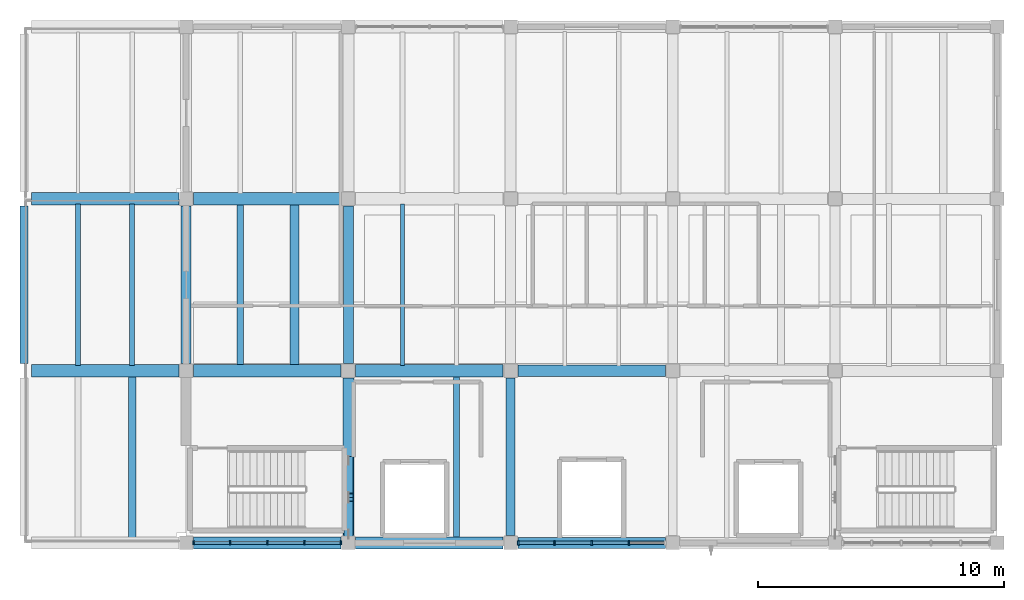
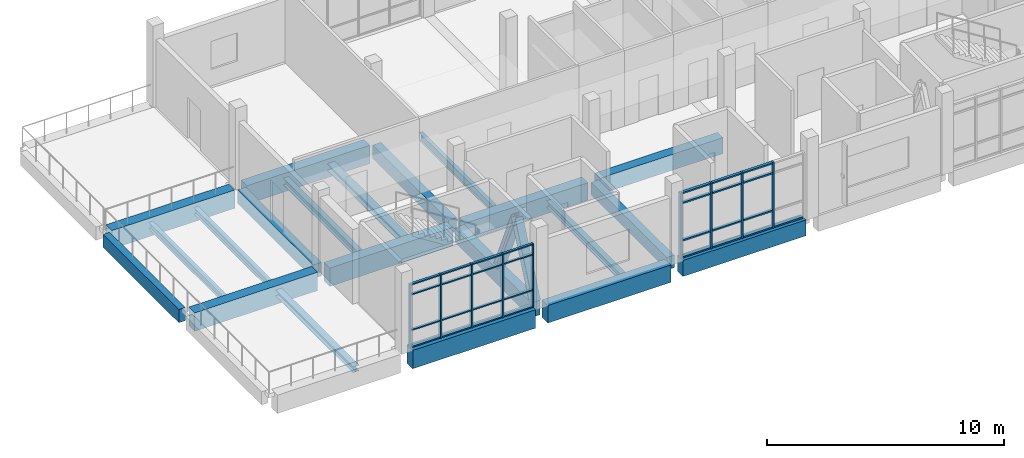
# One storey, part 2 of 12: 40 members, 21 beams, 2 elements without a shape of their own.
"""IFC4 building model written with IfcOpenShell, lengths in metres."""

from ifc_helpers import new_model, si_unit, direction, frame, origin, origin_2d, place, context, subcontext, project, spatial, rectangle, i_section, extrude, material, material_profile, profile_set, type_object, element, aggregate, save


model = new_model("IFC4")

# Units and contexts
model_context = context("Model", 3, precision=1e-05, world=origin(), true_north=direction((0.0, 1.0)))
body_context = subcontext(model_context, "Body", "Model", "MODEL_VIEW")
ifc_project = project(units=[si_unit("LENGTHUNIT", "METRE"), si_unit("AREAUNIT", "SQUARE_METRE"), si_unit("VOLUMEUNIT", "CUBIC_METRE"), si_unit("PLANEANGLEUNIT", "RADIAN"), si_unit("MASSUNIT", "GRAM", prefix="KILO")], contexts=[model_context])

# Site, building, storey
site_placement = place(None, origin())
site = spatial("IfcSite", under=ifc_project, at=site_placement, CompositionType="ELEMENT")
building_placement = place(site_placement, origin())
building = spatial("IfcBuilding", under=site, at=building_placement, Name="Ciguamira Faculty of Natural Sciences", CompositionType="ELEMENT")
storey_placement = place(building_placement, frame((0.0, 0.0, 37.800048828125)))
storey = spatial("IfcBuildingStorey", under=building, at=storey_placement, Name="L09", CompositionType="ELEMENT", Elevation=37.800048828125)

# Curtain wall, members
ifc_material_1 = material(Name="Anodized aluminium curtain wall", Category="aluminium")
curtain_wall_type_1 = type_object("IfcCurtainWallType", Name="CurtainWall_CW-04", PredefinedType="USERDEFINED", material=ifc_material_1)
curtain_wall_1_placement = place(storey_placement, origin())
curtain_wall_1 = element("IfcCurtainWall", 1, at=curtain_wall_1_placement, inside=storey, type_object=curtain_wall_type_1, Name="L09 unitised curtain wall 0160", ObjectType="UNITISED CURTAIN WALL", PredefinedType="USERDEFINED")
ifc_material_2 = material(Name="Anodized aluminium mullion", Category="aluminium")
ifc_material_profile_1 = material_profile(ifc_material_2, rectangle(XDim=0.06005859375, YDim=0.159912109375, at=origin_2d()), Name="ALU-MUL-60X160")
ifc_profile_set_1 = profile_set([ifc_material_profile_1], Name="Anodized aluminium mullion")
member_type_1 = type_object("IfcMemberType", Name="CWMullion_CWM-01", PredefinedType="MULLION", material=ifc_profile_set_1)
member_1_placement = place(storey_placement, frame((70.804931640625, 94.0, 0.0), z_axis=(0.0, 0.0, 1.0), x_axis=(1.0, 0.0, 0.0)))
member_1 = element("IfcMember", 2, at=member_1_placement, type_object=member_type_1, Name="CW-04 mullion 1", PredefinedType="MULLION", context=body_context, shape_type="SweptSolid", body=[
    extrude(rectangle(XDim=0.06005859375, YDim=0.159912109375, at=origin_2d()), origin(), (0.0, 0.0, 1.0), 3.284912109375),
])
member_2_placement = place(storey_placement, frame((72.28759765625, 94.0, 0.0), z_axis=(0.0, 0.0, 1.0), x_axis=(1.0, 0.0, 0.0)))
member_2 = element("IfcMember", 3, at=member_2_placement, type_object=member_type_1, Name="CW-04 mullion 2", PredefinedType="MULLION", context=body_context, shape_type="SweptSolid", body=[
    extrude(rectangle(XDim=0.06005859375, YDim=0.159912109375, at=origin_2d()), origin(), (0.0, 0.0, 1.0), 3.284912109375),
])
member_3_placement = place(storey_placement, frame((73.800048828125, 94.0, 0.0), z_axis=(0.0, 0.0, 1.0), x_axis=(1.0, 0.0, 0.0)))
member_3 = element("IfcMember", 4, at=member_3_placement, type_object=member_type_1, Name="CW-04 mullion 3", PredefinedType="MULLION", context=body_context, shape_type="SweptSolid", body=[
    extrude(rectangle(XDim=0.06005859375, YDim=0.159912109375, at=origin_2d()), origin(), (0.0, 0.0, 1.0), 3.284912109375),
])
member_4_placement = place(storey_placement, frame((75.3125, 94.0, 0.0), z_axis=(0.0, 0.0, 1.0), x_axis=(1.0, 0.0, 0.0)))
member_4 = element("IfcMember", 5, at=member_4_placement, type_object=member_type_1, Name="CW-04 mullion 4", PredefinedType="MULLION", context=body_context, shape_type="SweptSolid", body=[
    extrude(rectangle(XDim=0.06005859375, YDim=0.159912109375, at=origin_2d()), origin(), (0.0, 0.0, 1.0), 3.284912109375),
])
member_5_placement = place(storey_placement, frame((76.794921875, 94.0, 0.0), z_axis=(0.0, 0.0, 1.0), x_axis=(1.0, 0.0, 0.0)))
member_5 = element("IfcMember", 6, at=member_5_placement, type_object=member_type_1, Name="CW-04 mullion 5", PredefinedType="MULLION", context=body_context, shape_type="SweptSolid", body=[
    extrude(rectangle(XDim=0.06005859375, YDim=0.159912109375, at=origin_2d()), origin(), (0.0, 0.0, 1.0), 3.284912109375),
])

curtain_wall_type_2 = type_object("IfcCurtainWallType", Name="CurtainWall_CW-05", PredefinedType="USERDEFINED", material=ifc_material_1)
curtain_wall_2_placement = place(storey_placement, origin())
curtain_wall_2 = element("IfcCurtainWall", 7, at=curtain_wall_2_placement, inside=storey, type_object=curtain_wall_type_2, Name="L09 unitised curtain wall 0161", ObjectType="UNITISED CURTAIN WALL", PredefinedType="USERDEFINED")
ifc_material_profile_2 = material_profile(ifc_material_2, rectangle(XDim=0.070068359375, YDim=0.179931640625, at=origin_2d()), Name="ALU-MUL-70X180")
ifc_profile_set_2 = profile_set([ifc_material_profile_2], Name="Anodized aluminium mullion")
member_type_2 = type_object("IfcMemberType", Name="CWMullion_CWM-02", PredefinedType="MULLION", material=ifc_profile_set_2)
member_6_placement = place(storey_placement, frame((84.010009765625, 94.0, 0.0), z_axis=(0.0, 0.0, 1.0), x_axis=(1.0, 0.0, 0.0)))
member_6 = element("IfcMember", 8, at=member_6_placement, type_object=member_type_2, Name="CW-05 mullion 1", PredefinedType="MULLION", context=body_context, shape_type="SweptSolid", body=[
    extrude(rectangle(XDim=0.070068359375, YDim=0.179931640625, at=origin_2d()), origin(), (0.0, 0.0, 1.0), 3.385009765625),
])
member_7_placement = place(storey_placement, frame((85.487548828125, 94.0, 0.0), z_axis=(0.0, 0.0, 1.0), x_axis=(1.0, 0.0, 0.0)))
member_7 = element("IfcMember", 9, at=member_7_placement, type_object=member_type_2, Name="CW-05 mullion 2", PredefinedType="MULLION", context=body_context, shape_type="SweptSolid", body=[
    extrude(rectangle(XDim=0.070068359375, YDim=0.179931640625, at=origin_2d()), origin(), (0.0, 0.0, 1.0), 3.385009765625),
])
member_8_placement = place(storey_placement, frame((87.0, 94.0, 0.0), z_axis=(0.0, 0.0, 1.0), x_axis=(1.0, 0.0, 0.0)))
member_8 = element("IfcMember", 10, at=member_8_placement, type_object=member_type_2, Name="CW-05 mullion 3", PredefinedType="MULLION", context=body_context, shape_type="SweptSolid", body=[
    extrude(rectangle(XDim=0.070068359375, YDim=0.179931640625, at=origin_2d()), origin(), (0.0, 0.0, 1.0), 3.385009765625),
])
member_9_placement = place(storey_placement, frame((88.512451171875, 94.0, 0.0), z_axis=(0.0, 0.0, 1.0), x_axis=(1.0, 0.0, 0.0)))
member_9 = element("IfcMember", 11, at=member_9_placement, type_object=member_type_2, Name="CW-05 mullion 4", PredefinedType="MULLION", context=body_context, shape_type="SweptSolid", body=[
    extrude(rectangle(XDim=0.070068359375, YDim=0.179931640625, at=origin_2d()), origin(), (0.0, 0.0, 1.0), 3.385009765625),
])

# Member
ifc_material_3 = material(Name="Anodized aluminium transom", Category="aluminium")
ifc_material_profile_3 = material_profile(ifc_material_3, rectangle(XDim=0.06005859375, YDim=0.1201171875, at=origin_2d()), Name="ALU-TRN-60X120")
ifc_profile_set_3 = profile_set([ifc_material_profile_3], Name="Anodized aluminium transom")
member_type_3 = type_object("IfcMemberType", Name="CWTransom_CWT-01", PredefinedType="USERDEFINED", material=ifc_profile_set_3)
member_10_placement = place(storey_placement, frame((70.8349609375, 94.0, 0.030029296875), z_axis=(1.0, 0.0, 0.0), x_axis=(0.0, 0.0, 1.0)))
member_10 = element("IfcMember", 12, at=member_10_placement, type_object=member_type_3, Name="CW-04 transom 1.1", ObjectType="TRANSOM", PredefinedType="USERDEFINED", context=body_context, shape_type="SweptSolid", body=[
    extrude(rectangle(XDim=0.06005859375, YDim=0.1201171875, at=origin_2d()), origin(), (0.0, 0.0, 1.0), 1.422607421875),
])

member_11_placement = place(storey_placement, frame((70.8349609375, 94.0, 0.89990234375), z_axis=(1.0, 0.0, 0.0), x_axis=(0.0, 0.0, 1.0)))
member_11 = element("IfcMember", 13, at=member_11_placement, type_object=member_type_3, Name="CW-04 transom 1.2", ObjectType="TRANSOM", PredefinedType="USERDEFINED", context=body_context, shape_type="SweptSolid", body=[
    extrude(rectangle(XDim=0.06005859375, YDim=0.1201171875, at=origin_2d()), origin(), (0.0, 0.0, 1.0), 1.422607421875),
])

member_12_placement = place(storey_placement, frame((70.8349609375, 94.0, 2.73486328125), z_axis=(1.0, 0.0, 0.0), x_axis=(0.0, 0.0, 1.0)))
member_12 = element("IfcMember", 14, at=member_12_placement, type_object=member_type_3, Name="CW-04 transom 1.3", ObjectType="TRANSOM", PredefinedType="USERDEFINED", context=body_context, shape_type="SweptSolid", body=[
    extrude(rectangle(XDim=0.06005859375, YDim=0.1201171875, at=origin_2d()), origin(), (0.0, 0.0, 1.0), 1.422607421875),
])

member_13_placement = place(storey_placement, frame((70.8349609375, 94.0, 3.2548828125), z_axis=(1.0, 0.0, 0.0), x_axis=(0.0, 0.0, 1.0)))
member_13 = element("IfcMember", 15, at=member_13_placement, type_object=member_type_3, Name="CW-04 transom 1.4", ObjectType="TRANSOM", PredefinedType="USERDEFINED", context=body_context, shape_type="SweptSolid", body=[
    extrude(rectangle(XDim=0.06005859375, YDim=0.1201171875, at=origin_2d()), origin(), (0.0, 0.0, 1.0), 1.422607421875),
])

member_14_placement = place(storey_placement, frame((72.3173828125, 94.0, 0.030029296875), z_axis=(1.0, 0.0, 0.0), x_axis=(0.0, 0.0, 1.0)))
member_14 = element("IfcMember", 16, at=member_14_placement, type_object=member_type_3, Name="CW-04 transom 2.1", ObjectType="TRANSOM", PredefinedType="USERDEFINED", context=body_context, shape_type="SweptSolid", body=[
    extrude(rectangle(XDim=0.06005859375, YDim=0.1201171875, at=origin_2d()), origin(), (0.0, 0.0, 1.0), 1.45263671875),
])

member_15_placement = place(storey_placement, frame((72.3173828125, 94.0, 0.89990234375), z_axis=(1.0, 0.0, 0.0), x_axis=(0.0, 0.0, 1.0)))
member_15 = element("IfcMember", 17, at=member_15_placement, type_object=member_type_3, Name="CW-04 transom 2.2", ObjectType="TRANSOM", PredefinedType="USERDEFINED", context=body_context, shape_type="SweptSolid", body=[
    extrude(rectangle(XDim=0.06005859375, YDim=0.1201171875, at=origin_2d()), origin(), (0.0, 0.0, 1.0), 1.45263671875),
])

member_16_placement = place(storey_placement, frame((72.3173828125, 94.0, 2.73486328125), z_axis=(1.0, 0.0, 0.0), x_axis=(0.0, 0.0, 1.0)))
member_16 = element("IfcMember", 18, at=member_16_placement, type_object=member_type_3, Name="CW-04 transom 2.3", ObjectType="TRANSOM", PredefinedType="USERDEFINED", context=body_context, shape_type="SweptSolid", body=[
    extrude(rectangle(XDim=0.06005859375, YDim=0.1201171875, at=origin_2d()), origin(), (0.0, 0.0, 1.0), 1.45263671875),
])

member_17_placement = place(storey_placement, frame((72.3173828125, 94.0, 3.2548828125), z_axis=(1.0, 0.0, 0.0), x_axis=(0.0, 0.0, 1.0)))
member_17 = element("IfcMember", 19, at=member_17_placement, type_object=member_type_3, Name="CW-04 transom 2.4", ObjectType="TRANSOM", PredefinedType="USERDEFINED", context=body_context, shape_type="SweptSolid", body=[
    extrude(rectangle(XDim=0.06005859375, YDim=0.1201171875, at=origin_2d()), origin(), (0.0, 0.0, 1.0), 1.45263671875),
])

member_18_placement = place(storey_placement, frame((73.830078125, 94.0, 0.030029296875), z_axis=(1.0, 0.0, 0.0), x_axis=(0.0, 0.0, 1.0)))
member_18 = element("IfcMember", 20, at=member_18_placement, type_object=member_type_3, Name="CW-04 transom 3.1", ObjectType="TRANSOM", PredefinedType="USERDEFINED", context=body_context, shape_type="SweptSolid", body=[
    extrude(rectangle(XDim=0.06005859375, YDim=0.1201171875, at=origin_2d()), origin(), (0.0, 0.0, 1.0), 1.452392578125),
])

member_19_placement = place(storey_placement, frame((73.830078125, 94.0, 0.89990234375), z_axis=(1.0, 0.0, 0.0), x_axis=(0.0, 0.0, 1.0)))
member_19 = element("IfcMember", 21, at=member_19_placement, type_object=member_type_3, Name="CW-04 transom 3.2", ObjectType="TRANSOM", PredefinedType="USERDEFINED", context=body_context, shape_type="SweptSolid", body=[
    extrude(rectangle(XDim=0.06005859375, YDim=0.1201171875, at=origin_2d()), origin(), (0.0, 0.0, 1.0), 1.452392578125),
])

member_20_placement = place(storey_placement, frame((73.830078125, 94.0, 2.73486328125), z_axis=(1.0, 0.0, 0.0), x_axis=(0.0, 0.0, 1.0)))
member_20 = element("IfcMember", 22, at=member_20_placement, type_object=member_type_3, Name="CW-04 transom 3.3", ObjectType="TRANSOM", PredefinedType="USERDEFINED", context=body_context, shape_type="SweptSolid", body=[
    extrude(rectangle(XDim=0.06005859375, YDim=0.1201171875, at=origin_2d()), origin(), (0.0, 0.0, 1.0), 1.452392578125),
])

member_21_placement = place(storey_placement, frame((73.830078125, 94.0, 3.2548828125), z_axis=(1.0, 0.0, 0.0), x_axis=(0.0, 0.0, 1.0)))
member_21 = element("IfcMember", 23, at=member_21_placement, type_object=member_type_3, Name="CW-04 transom 3.4", ObjectType="TRANSOM", PredefinedType="USERDEFINED", context=body_context, shape_type="SweptSolid", body=[
    extrude(rectangle(XDim=0.06005859375, YDim=0.1201171875, at=origin_2d()), origin(), (0.0, 0.0, 1.0), 1.452392578125),
])

member_22_placement = place(storey_placement, frame((75.342529296875, 94.0, 0.030029296875), z_axis=(1.0, 0.0, 0.0), x_axis=(0.0, 0.0, 1.0)))
member_22 = element("IfcMember", 24, at=member_22_placement, type_object=member_type_3, Name="CW-04 transom 4.1", ObjectType="TRANSOM", PredefinedType="USERDEFINED", context=body_context, shape_type="SweptSolid", body=[
    extrude(rectangle(XDim=0.06005859375, YDim=0.1201171875, at=origin_2d()), origin(), (0.0, 0.0, 1.0), 1.42236328125),
])

member_23_placement = place(storey_placement, frame((75.342529296875, 94.0, 0.89990234375), z_axis=(1.0, 0.0, 0.0), x_axis=(0.0, 0.0, 1.0)))
member_23 = element("IfcMember", 25, at=member_23_placement, type_object=member_type_3, Name="CW-04 transom 4.2", ObjectType="TRANSOM", PredefinedType="USERDEFINED", context=body_context, shape_type="SweptSolid", body=[
    extrude(rectangle(XDim=0.06005859375, YDim=0.1201171875, at=origin_2d()), origin(), (0.0, 0.0, 1.0), 1.42236328125),
])

member_24_placement = place(storey_placement, frame((75.342529296875, 94.0, 2.73486328125), z_axis=(1.0, 0.0, 0.0), x_axis=(0.0, 0.0, 1.0)))
member_24 = element("IfcMember", 26, at=member_24_placement, type_object=member_type_3, Name="CW-04 transom 4.3", ObjectType="TRANSOM", PredefinedType="USERDEFINED", context=body_context, shape_type="SweptSolid", body=[
    extrude(rectangle(XDim=0.06005859375, YDim=0.1201171875, at=origin_2d()), origin(), (0.0, 0.0, 1.0), 1.42236328125),
])

member_25_placement = place(storey_placement, frame((75.342529296875, 94.0, 3.2548828125), z_axis=(1.0, 0.0, 0.0), x_axis=(0.0, 0.0, 1.0)))
member_25 = element("IfcMember", 27, at=member_25_placement, type_object=member_type_3, Name="CW-04 transom 4.4", ObjectType="TRANSOM", PredefinedType="USERDEFINED", context=body_context, shape_type="SweptSolid", body=[
    extrude(rectangle(XDim=0.06005859375, YDim=0.1201171875, at=origin_2d()), origin(), (0.0, 0.0, 1.0), 1.42236328125),
])

aggregate(curtain_wall_1, [member_1, member_2, member_3, member_4, member_5, member_10, member_11, member_12, member_13, member_14, member_15, member_16, member_17, member_18, member_19, member_20, member_21, member_22, member_23, member_24, member_25])

ifc_material_profile_4 = material_profile(ifc_material_3, rectangle(XDim=0.070068359375, YDim=0.139892578125, at=origin_2d()), Name="ALU-TRN-70X140")
ifc_profile_set_4 = profile_set([ifc_material_profile_4], Name="Anodized aluminium transom")
member_type_4 = type_object("IfcMemberType", Name="CWTransom_CWT-02", PredefinedType="USERDEFINED", material=ifc_profile_set_4)
member_26_placement = place(storey_placement, frame((84.044921875, 94.0, 0.034912109375), z_axis=(1.0, 0.0, 0.0), x_axis=(0.0, 0.0, 1.0)))
member_26 = element("IfcMember", 28, at=member_26_placement, type_object=member_type_4, Name="CW-05 transom 1.1", ObjectType="TRANSOM", PredefinedType="USERDEFINED", context=body_context, shape_type="SweptSolid", body=[
    extrude(rectangle(XDim=0.070068359375, YDim=0.139892578125, at=origin_2d()), origin(), (0.0, 0.0, 1.0), 1.407470703125),
])

member_27_placement = place(storey_placement, frame((84.044921875, 94.0, 0.89990234375), z_axis=(1.0, 0.0, 0.0), x_axis=(0.0, 0.0, 1.0)))
member_27 = element("IfcMember", 29, at=member_27_placement, type_object=member_type_4, Name="CW-05 transom 1.2", ObjectType="TRANSOM", PredefinedType="USERDEFINED", context=body_context, shape_type="SweptSolid", body=[
    extrude(rectangle(XDim=0.070068359375, YDim=0.139892578125, at=origin_2d()), origin(), (0.0, 0.0, 1.0), 1.407470703125),
])

member_28_placement = place(storey_placement, frame((84.044921875, 94.0, 2.8349609375), z_axis=(1.0, 0.0, 0.0), x_axis=(0.0, 0.0, 1.0)))
member_28 = element("IfcMember", 30, at=member_28_placement, type_object=member_type_4, Name="CW-05 transom 1.3", ObjectType="TRANSOM", PredefinedType="USERDEFINED", context=body_context, shape_type="SweptSolid", body=[
    extrude(rectangle(XDim=0.070068359375, YDim=0.139892578125, at=origin_2d()), origin(), (0.0, 0.0, 1.0), 1.407470703125),
])

member_29_placement = place(storey_placement, frame((84.044921875, 94.0, 3.349853515625), z_axis=(1.0, 0.0, 0.0), x_axis=(0.0, 0.0, 1.0)))
member_29 = element("IfcMember", 31, at=member_29_placement, type_object=member_type_4, Name="CW-05 transom 1.4", ObjectType="TRANSOM", PredefinedType="USERDEFINED", context=body_context, shape_type="SweptSolid", body=[
    extrude(rectangle(XDim=0.070068359375, YDim=0.139892578125, at=origin_2d()), origin(), (0.0, 0.0, 1.0), 1.407470703125),
])

member_30_placement = place(storey_placement, frame((85.5224609375, 94.0, 0.034912109375), z_axis=(1.0, 0.0, 0.0), x_axis=(0.0, 0.0, 1.0)))
member_30 = element("IfcMember", 32, at=member_30_placement, type_object=member_type_4, Name="CW-05 transom 2.1", ObjectType="TRANSOM", PredefinedType="USERDEFINED", context=body_context, shape_type="SweptSolid", body=[
    extrude(rectangle(XDim=0.070068359375, YDim=0.139892578125, at=origin_2d()), origin(), (0.0, 0.0, 1.0), 1.442626953125),
])

member_31_placement = place(storey_placement, frame((85.5224609375, 94.0, 0.89990234375), z_axis=(1.0, 0.0, 0.0), x_axis=(0.0, 0.0, 1.0)))
member_31 = element("IfcMember", 33, at=member_31_placement, type_object=member_type_4, Name="CW-05 transom 2.2", ObjectType="TRANSOM", PredefinedType="USERDEFINED", context=body_context, shape_type="SweptSolid", body=[
    extrude(rectangle(XDim=0.070068359375, YDim=0.139892578125, at=origin_2d()), origin(), (0.0, 0.0, 1.0), 1.442626953125),
])

member_32_placement = place(storey_placement, frame((85.5224609375, 94.0, 2.8349609375), z_axis=(1.0, 0.0, 0.0), x_axis=(0.0, 0.0, 1.0)))
member_32 = element("IfcMember", 34, at=member_32_placement, type_object=member_type_4, Name="CW-05 transom 2.3", ObjectType="TRANSOM", PredefinedType="USERDEFINED", context=body_context, shape_type="SweptSolid", body=[
    extrude(rectangle(XDim=0.070068359375, YDim=0.139892578125, at=origin_2d()), origin(), (0.0, 0.0, 1.0), 1.442626953125),
])

member_33_placement = place(storey_placement, frame((85.5224609375, 94.0, 3.349853515625), z_axis=(1.0, 0.0, 0.0), x_axis=(0.0, 0.0, 1.0)))
member_33 = element("IfcMember", 35, at=member_33_placement, type_object=member_type_4, Name="CW-05 transom 2.4", ObjectType="TRANSOM", PredefinedType="USERDEFINED", context=body_context, shape_type="SweptSolid", body=[
    extrude(rectangle(XDim=0.070068359375, YDim=0.139892578125, at=origin_2d()), origin(), (0.0, 0.0, 1.0), 1.442626953125),
])

member_34_placement = place(storey_placement, frame((87.034912109375, 94.0, 0.034912109375), z_axis=(1.0, 0.0, 0.0), x_axis=(0.0, 0.0, 1.0)))
member_34 = element("IfcMember", 36, at=member_34_placement, type_object=member_type_4, Name="CW-05 transom 3.1", ObjectType="TRANSOM", PredefinedType="USERDEFINED", context=body_context, shape_type="SweptSolid", body=[
    extrude(rectangle(XDim=0.070068359375, YDim=0.139892578125, at=origin_2d()), origin(), (0.0, 0.0, 1.0), 1.442626953125),
])

member_35_placement = place(storey_placement, frame((87.034912109375, 94.0, 0.89990234375), z_axis=(1.0, 0.0, 0.0), x_axis=(0.0, 0.0, 1.0)))
member_35 = element("IfcMember", 37, at=member_35_placement, type_object=member_type_4, Name="CW-05 transom 3.2", ObjectType="TRANSOM", PredefinedType="USERDEFINED", context=body_context, shape_type="SweptSolid", body=[
    extrude(rectangle(XDim=0.070068359375, YDim=0.139892578125, at=origin_2d()), origin(), (0.0, 0.0, 1.0), 1.442626953125),
])

member_36_placement = place(storey_placement, frame((87.034912109375, 94.0, 2.8349609375), z_axis=(1.0, 0.0, 0.0), x_axis=(0.0, 0.0, 1.0)))
member_36 = element("IfcMember", 38, at=member_36_placement, type_object=member_type_4, Name="CW-05 transom 3.3", ObjectType="TRANSOM", PredefinedType="USERDEFINED", context=body_context, shape_type="SweptSolid", body=[
    extrude(rectangle(XDim=0.070068359375, YDim=0.139892578125, at=origin_2d()), origin(), (0.0, 0.0, 1.0), 1.442626953125),
])

member_37_placement = place(storey_placement, frame((87.034912109375, 94.0, 3.349853515625), z_axis=(1.0, 0.0, 0.0), x_axis=(0.0, 0.0, 1.0)))
member_37 = element("IfcMember", 39, at=member_37_placement, type_object=member_type_4, Name="CW-05 transom 3.4", ObjectType="TRANSOM", PredefinedType="USERDEFINED", context=body_context, shape_type="SweptSolid", body=[
    extrude(rectangle(XDim=0.070068359375, YDim=0.139892578125, at=origin_2d()), origin(), (0.0, 0.0, 1.0), 1.442626953125),
])

member_38_placement = place(storey_placement, frame((88.547607421875, 94.0, 0.034912109375), z_axis=(1.0, 0.0, 0.0), x_axis=(0.0, 0.0, 1.0)))
member_38 = element("IfcMember", 40, at=member_38_placement, type_object=member_type_4, Name="CW-05 transom 4.1", ObjectType="TRANSOM", PredefinedType="USERDEFINED", context=body_context, shape_type="SweptSolid", body=[
    extrude(rectangle(XDim=0.070068359375, YDim=0.139892578125, at=origin_2d()), origin(), (0.0, 0.0, 1.0), 1.407470703125),
])

aggregate(curtain_wall_2, [member_6, member_7, member_8, member_9, member_26, member_27, member_28, member_29, member_30, member_31, member_32, member_33, member_34, member_35, member_36, member_37, member_38])

# Beams
ifc_material_4 = material(Name="Concrete C40/50", Category="concrete")
ifc_material_profile_5 = material_profile(ifc_material_4, rectangle(XDim=0.5, YDim=0.949951171875, at=origin_2d()), Name="RC-BM-500X950")
ifc_profile_set_5 = profile_set([ifc_material_profile_5], Name="Concrete C40/50")
beam_type_1 = type_object("IfcBeamType", Name="RCBeam_BG-02_RC-BM-500X950", PredefinedType="BEAM", material=ifc_profile_set_5)
for number, where, z_axis, x_axis, name in (
    (41, (70.800048828125, 94.0, -0.47509765625), (1.0, 0.0, 0.0), (0.0, 1.0, 0.0), "L09 RC girder EW-1634"),
    (42, (64.199951171875, 101.0, -0.47509765625), (1.0, 0.0, 0.0), (0.0, 1.0, 0.0), "L09 RC girder EW-1639"),
    (43, (70.800048828125, 101.0, -0.47509765625), (1.0, 0.0, 0.0), (0.0, 1.0, 0.0), "L09 RC girder EW-1640"),
    (44, (64.199951171875, 108.0, -0.47509765625), (1.0, 0.0, 0.0), (0.0, 1.0, 0.0), "L09 RC girder EW-1645"),
    (45, (70.800048828125, 108.0, -0.47509765625), (1.0, 0.0, 0.0), (0.0, 1.0, 0.0), "L09 RC girder EW-1646"),
):
    element("IfcBeam", number, at=place(storey_placement, frame(where, z_axis=z_axis, x_axis=x_axis)), inside=storey, type_object=beam_type_1, Name=name, PredefinedType="BEAM", context=body_context, shape_type="SweptSolid", body=[
        extrude(rectangle(XDim=0.5, YDim=0.949951171875, at=origin_2d()), origin(), (0.0, 0.0, 1.0), 6.0),
    ])
ifc_material_profile_6 = material_profile(ifc_material_4, rectangle(XDim=0.5, YDim=0.89990234375, at=origin_2d()), Name="RC-BM-500X900")
ifc_profile_set_6 = profile_set([ifc_material_profile_6], Name="Concrete C40/50")
beam_type_2 = type_object("IfcBeamType", Name="RCBeam_BG-03_RC-BM-500X900", PredefinedType="BEAM", material=ifc_profile_set_6)
for number, where, z_axis, x_axis, name in (
    (46, (77.39990234375, 94.0, -0.449951171875), (1.0, 0.0, 0.0), (0.0, 1.0, 0.0), "L09 RC girder EW-1635"),
    (47, (77.39990234375, 101.0, -0.449951171875), (1.0, 0.0, 0.0), (0.0, 1.0, 0.0), "L09 RC girder EW-1641"),
):
    element("IfcBeam", number, at=place(storey_placement, frame(where, z_axis=z_axis, x_axis=x_axis)), inside=storey, type_object=beam_type_2, Name=name, PredefinedType="BEAM", context=body_context, shape_type="SweptSolid", body=[
        extrude(rectangle(XDim=0.5, YDim=0.89990234375, at=origin_2d()), origin(), (0.0, 0.0, 1.0), 6.0),
    ])
ifc_material_profile_7 = material_profile(ifc_material_4, rectangle(XDim=0.4599609375, YDim=0.820068359375, at=origin_2d()), Name="RC-BM-460X820")
ifc_profile_set_7 = profile_set([ifc_material_profile_7], Name="Concrete C40/50")
beam_type_3 = type_object("IfcBeamType", Name="RCBeam_BG-04_RC-BM-460X820", PredefinedType="BEAM", material=ifc_profile_set_7)
for number, where, z_axis, x_axis, name in (
    (48, (84.0, 94.0, -0.41015625), (1.0, 0.0, 0.0), (0.0, 1.0, 0.0), "L09 RC girder EW-1636"),
    (49, (84.0, 101.0, -0.41015625), (1.0, 0.0, 0.0), (0.0, 1.0, 0.0), "L09 RC girder EW-1642"),
):
    element("IfcBeam", number, at=place(storey_placement, frame(where, z_axis=z_axis, x_axis=x_axis)), inside=storey, type_object=beam_type_3, Name=name, PredefinedType="BEAM", context=body_context, shape_type="SweptSolid", body=[
        extrude(rectangle(XDim=0.4599609375, YDim=0.820068359375, at=origin_2d()), origin(), (0.0, 0.0, 1.0), 6.0),
    ])
ifc_material_profile_8 = material_profile(ifc_material_4, rectangle(XDim=0.43994140625, YDim=0.780029296875, at=origin_2d()), Name="RC-BM-440X780")
ifc_profile_set_8 = profile_set([ifc_material_profile_8], Name="Concrete C40/50")
beam_type_4 = type_object("IfcBeamType", Name="RCBeam_BG-06_RC-BM-440X780", PredefinedType="BEAM", material=ifc_profile_set_8)
beam_1_placement = place(storey_placement, frame((77.10009765625, 94.300048828125, -0.39013671875), z_axis=(0.0, 1.0, 0.0), x_axis=(-1.0, 0.0, 0.0)))
element("IfcBeam", 50, at=beam_1_placement, inside=storey, type_object=beam_type_4, Name="L09 core-end brace tie girder 77", PredefinedType="BEAM", context=body_context, shape_type="SweptSolid", body=[
    extrude(rectangle(XDim=0.43994140625, YDim=0.780029296875, at=origin_2d()), origin(), (0.0, 0.0, 1.0), 6.39990234375),
])
ifc_material_profile_9 = material_profile(ifc_material_4, rectangle(XDim=0.39990234375, YDim=0.699951171875, at=origin_2d()), Name="RC-BM-400X700")
ifc_profile_set_9 = profile_set([ifc_material_profile_9], Name="Concrete C40/50")
beam_type_5 = type_object("IfcBeamType", Name="RCBeam_BG-08_RC-BM-400X700", PredefinedType="BEAM", material=ifc_profile_set_9)
for number, where, z_axis, x_axis, name in (
    (51, (70.5, 101.300048828125, -0.35009765625), (0.0, 1.0, 0.0), (-1.0, 0.0, 0.0), "L09 girder NS-1660"),
    (52, (77.10009765625, 101.300048828125, -0.35009765625), (0.0, 1.0, 0.0), (-1.0, 0.0, 0.0), "L09 girder NS-1662"),
):
    element("IfcBeam", number, at=place(storey_placement, frame(where, z_axis=z_axis, x_axis=x_axis)), inside=storey, type_object=beam_type_5, Name=name, PredefinedType="BEAM", context=body_context, shape_type="SweptSolid", body=[
        extrude(rectangle(XDim=0.39990234375, YDim=0.699951171875, at=origin_2d()), origin(), (0.0, 0.0, 1.0), 6.39990234375),
    ])
ifc_material_profile_10 = material_profile(ifc_material_4, rectangle(XDim=0.360107421875, YDim=0.639892578125, at=origin_2d()), Name="RC-BM-360X640")
ifc_profile_set_10 = profile_set([ifc_material_profile_10], Name="Concrete C40/50")
beam_type_6 = type_object("IfcBeamType", Name="RCBeam_BG-10_RC-BM-360X640", PredefinedType="BEAM", material=ifc_profile_set_10)
beam_2_placement = place(storey_placement, frame((83.699951171875, 94.300048828125, -0.320068359375), z_axis=(0.0, 1.0, 0.0), x_axis=(-1.0, 0.0, 0.0)))
element("IfcBeam", 53, at=beam_2_placement, inside=storey, type_object=beam_type_6, Name="L09 girder NS-1664", PredefinedType="BEAM", context=body_context, shape_type="SweptSolid", body=[
    extrude(rectangle(XDim=0.360107421875, YDim=0.639892578125, at=origin_2d()), origin(), (0.0, 0.0, 1.0), 6.39990234375),
])
ifc_material_5 = material(Name="Precast concrete C40/50", Category="concrete")
ifc_material_profile_11 = material_profile(ifc_material_5, rectangle(XDim=0.320068359375, YDim=0.679931640625, at=origin_2d()), Name="RC-SP-320X680")
ifc_profile_set_11 = profile_set([ifc_material_profile_11], Name="Precast concrete C40/50")
beam_type_7 = type_object("IfcBeamType", Name="RCBeam_SP-02_RC-SP-320X680", PredefinedType="SPANDREL", material=ifc_profile_set_11)
beam_3_placement = place(storey_placement, frame((63.89990234375, 101.300048828125, -0.340087890625), z_axis=(0.0, 1.0, 0.0), x_axis=(-1.0, 0.0, 0.0)))
element("IfcBeam", 54, at=beam_3_placement, inside=storey, type_object=beam_type_7, Name="L09 girder NS-1658", PredefinedType="SPANDREL", context=body_context, shape_type="SweptSolid", body=[
    extrude(rectangle(XDim=0.320068359375, YDim=0.679931640625, at=origin_2d()), origin(), (0.0, 0.0, 1.0), 6.39990234375),
])
ifc_material_6 = material(Name="Steel ASTM A992 Grade 50", Category="steel")
ifc_material_profile_12 = material_profile(ifc_material_6, i_section(OverallWidth=0.3046875, OverallDepth=0.307373046875, WebThickness=0.010009765625, FlangeThickness=0.015380859375, at=origin_2d()), Name="W12X65")
ifc_profile_set_12 = profile_set([ifc_material_profile_12], Name="Steel ASTM A992 Grade 50")
beam_type_8 = type_object("IfcBeamType", Name="SteelJoist_SJ-08_W12X65", PredefinedType="JOIST", material=ifc_profile_set_12)
beam_4_placement = place(storey_placement, frame((68.300048828125, 94.2099609375, -0.353759765625), z_axis=(0.0, 1.0, 0.0), x_axis=(-1.0, 0.0, 0.0)))
element("IfcBeam", 55, at=beam_4_placement, inside=storey, type_object=beam_type_8, Name="L09 composite steel joist 01479", PredefinedType="JOIST", context=body_context, shape_type="SweptSolid", body=[
    extrude(i_section(OverallWidth=0.3046875, OverallDepth=0.307373046875, WebThickness=0.010009765625, FlangeThickness=0.015380859375, at=origin_2d()), origin(), (0.0, 0.0, 1.0), 6.580078125),
])
ifc_material_profile_13 = material_profile(ifc_material_6, i_section(OverallWidth=0.203125, OverallDepth=0.347900390625, WebThickness=0.0078125, FlangeThickness=0.013427734375, at=origin_2d()), Name="W14X43")
ifc_profile_set_13 = profile_set([ifc_material_profile_13], Name="Steel ASTM A992 Grade 50")
beam_type_9 = type_object("IfcBeamType", Name="SteelJoist_SJ-12_W14X43", PredefinedType="JOIST", material=ifc_profile_set_13)
beam_5_placement = place(storey_placement, frame((66.10009765625, 101.2099609375, -0.3740234375), z_axis=(0.0, 1.0, 0.0), x_axis=(-1.0, 0.0, 0.0)))
element("IfcBeam", 56, at=beam_5_placement, inside=storey, type_object=beam_type_9, Name="L09 composite steel joist 01480", PredefinedType="JOIST", context=body_context, shape_type="SweptSolid", body=[
    extrude(i_section(OverallWidth=0.203125, OverallDepth=0.347900390625, WebThickness=0.0078125, FlangeThickness=0.013427734375, at=origin_2d()), origin(), (0.0, 0.0, 1.0), 6.580078125),
])
ifc_material_profile_14 = material_profile(ifc_material_6, i_section(OverallWidth=0.204833984375, OverallDepth=0.35302734375, WebThickness=0.00927734375, FlangeThickness=0.016845703125, at=origin_2d()), Name="W14X53")
ifc_profile_set_14 = profile_set([ifc_material_profile_14], Name="Steel ASTM A992 Grade 50")
beam_type_10 = type_object("IfcBeamType", Name="SteelJoist_SJ-13_W14X53", PredefinedType="JOIST", material=ifc_profile_set_14)
beam_6_placement = place(storey_placement, frame((68.300048828125, 101.2099609375, -0.37646484375), z_axis=(0.0, 1.0, 0.0), x_axis=(-1.0, 0.0, 0.0)))
element("IfcBeam", 57, at=beam_6_placement, inside=storey, type_object=beam_type_10, Name="L09 composite steel joist 01481", PredefinedType="JOIST", context=body_context, shape_type="SweptSolid", body=[
    extrude(i_section(OverallWidth=0.204833984375, OverallDepth=0.35302734375, WebThickness=0.00927734375, FlangeThickness=0.016845703125, at=origin_2d()), origin(), (0.0, 0.0, 1.0), 6.580078125),
])
ifc_material_profile_15 = material_profile(ifc_material_6, i_section(OverallWidth=0.25390625, OverallDepth=0.355712890625, WebThickness=0.010498046875, FlangeThickness=0.018310546875, at=origin_2d()), Name="W14X68")
ifc_profile_set_15 = profile_set([ifc_material_profile_15], Name="Steel ASTM A992 Grade 50")
beam_type_11 = type_object("IfcBeamType", Name="SteelJoist_SJ-14_W14X68", PredefinedType="JOIST", material=ifc_profile_set_15)
beam_7_placement = place(storey_placement, frame((81.5, 94.2099609375, -0.39794921875), z_axis=(0.0, 1.0, 0.0), x_axis=(-1.0, 0.0, 0.0)))
element("IfcBeam", 58, at=beam_7_placement, inside=storey, type_object=beam_type_11, Name="L09 composite steel joist 01488", PredefinedType="JOIST", context=body_context, shape_type="SweptSolid", body=[
    extrude(i_section(OverallWidth=0.25390625, OverallDepth=0.355712890625, WebThickness=0.010498046875, FlangeThickness=0.018310546875, at=origin_2d()), origin(), (0.0, 0.0, 1.0), 6.580078125),
])
ifc_material_profile_16 = material_profile(ifc_material_6, i_section(OverallWidth=0.256591796875, OverallDepth=0.36328125, WebThickness=0.012939453125, FlangeThickness=0.021728515625, at=origin_2d()), Name="W14X82")
ifc_profile_set_16 = profile_set([ifc_material_profile_16], Name="Steel ASTM A992 Grade 50")
beam_type_12 = type_object("IfcBeamType", Name="SteelJoist_SJ-15_W14X82", PredefinedType="JOIST", material=ifc_profile_set_16)
beam_8_placement = place(storey_placement, frame((72.699951171875, 101.2099609375, -0.401611328125), z_axis=(0.0, 1.0, 0.0), x_axis=(-1.0, 0.0, 0.0)))
element("IfcBeam", 59, at=beam_8_placement, inside=storey, type_object=beam_type_12, Name="L09 composite steel joist 01484", PredefinedType="JOIST", context=body_context, shape_type="SweptSolid", body=[
    extrude(i_section(OverallWidth=0.256591796875, OverallDepth=0.36328125, WebThickness=0.012939453125, FlangeThickness=0.021728515625, at=origin_2d()), origin(), (0.0, 0.0, 1.0), 6.580078125),
])
ifc_material_profile_17 = material_profile(ifc_material_6, i_section(OverallWidth=0.368408203125, OverallDepth=0.355712890625, WebThickness=0.01123046875, FlangeThickness=0.01806640625, at=origin_2d()), Name="W14X90")
ifc_profile_set_17 = profile_set([ifc_material_profile_17], Name="Steel ASTM A992 Grade 50")
beam_type_13 = type_object("IfcBeamType", Name="SteelJoist_SJ-16_W14X90", PredefinedType="JOIST", material=ifc_profile_set_17)
beam_9_placement = place(storey_placement, frame((74.89990234375, 101.2099609375, -0.39794921875), z_axis=(0.0, 1.0, 0.0), x_axis=(-1.0, 0.0, 0.0)))
element("IfcBeam", 60, at=beam_9_placement, inside=storey, type_object=beam_type_13, Name="L09 composite steel joist 01485", PredefinedType="JOIST", context=body_context, shape_type="SweptSolid", body=[
    extrude(i_section(OverallWidth=0.368408203125, OverallDepth=0.355712890625, WebThickness=0.01123046875, FlangeThickness=0.01806640625, at=origin_2d()), origin(), (0.0, 0.0, 1.0), 6.580078125),
])
ifc_material_profile_18 = material_profile(ifc_material_6, i_section(OverallWidth=0.177490234375, OverallDepth=0.40380859375, WebThickness=0.007568359375, FlangeThickness=0.010986328125, at=origin_2d()), Name="W16X36")
ifc_profile_set_18 = profile_set([ifc_material_profile_18], Name="Steel ASTM A992 Grade 50")
beam_type_14 = type_object("IfcBeamType", Name="SteelJoist_SJ-18_W16X36", PredefinedType="JOIST", material=ifc_profile_set_18)
beam_10_placement = place(storey_placement, frame((79.300048828125, 101.2099609375, -0.421875), z_axis=(0.0, 1.0, 0.0), x_axis=(-1.0, 0.0, 0.0)))
element("IfcBeam", 61, at=beam_10_placement, inside=storey, type_object=beam_type_14, Name="L09 composite steel joist 01489", PredefinedType="JOIST", context=body_context, shape_type="SweptSolid", body=[
    extrude(i_section(OverallWidth=0.177490234375, OverallDepth=0.40380859375, WebThickness=0.007568359375, FlangeThickness=0.010986328125, at=origin_2d()), origin(), (0.0, 0.0, 1.0), 6.580078125),
])

# Members
ifc_material_profile_19 = material_profile(ifc_material_6, i_section(OverallWidth=0.373291015625, OverallDepth=0.373291015625, WebThickness=0.016357421875, FlangeThickness=0.026123046875, at=origin_2d()), Name="W14X132")
ifc_profile_set_19 = profile_set([ifc_material_profile_19], Name="Steel ASTM A992 Grade 50")
member_type_5 = type_object("IfcMemberType", Name="SteelMember_BR-03_W14X132", PredefinedType="BRACE", material=ifc_profile_set_19)
for number, where, z_axis, x_axis, name in (
    (62, (77.10009765625, 94.35009765625, 0.0), (0.0, 0.401669190317, 0.915784833653), (-1.0, 0.0, 0.0), "L09 lateral chevron brace 041"),
    (63, (77.10009765625, 97.35009765625, 0.0), (0.0, -0.401669190317, 0.915784833653), (1.0, 0.0, 0.0), "L09 lateral chevron brace 042"),
):
    element("IfcMember", number, at=place(storey_placement, frame(where, z_axis=z_axis, x_axis=x_axis)), inside=storey, type_object=member_type_5, Name=name, PredefinedType="BRACE", context=body_context, shape_type="SweptSolid", body=[
        extrude(i_section(OverallWidth=0.373291015625, OverallDepth=0.373291015625, WebThickness=0.016357421875, FlangeThickness=0.026123046875, at=origin_2d()), origin(), (0.0, 0.0, 1.0), 3.734375),
    ])

save(model, "model.ifc")
